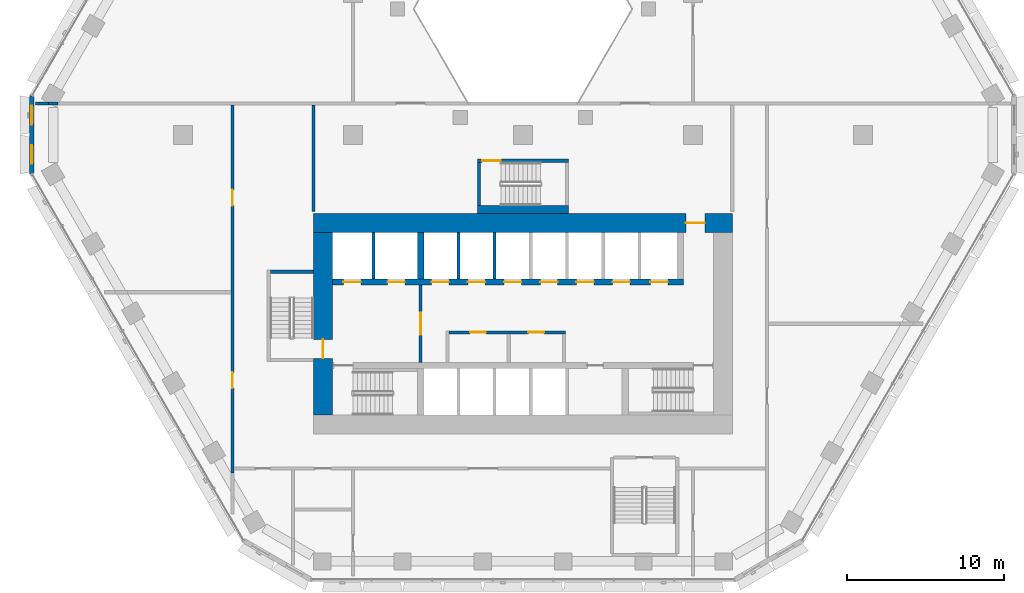
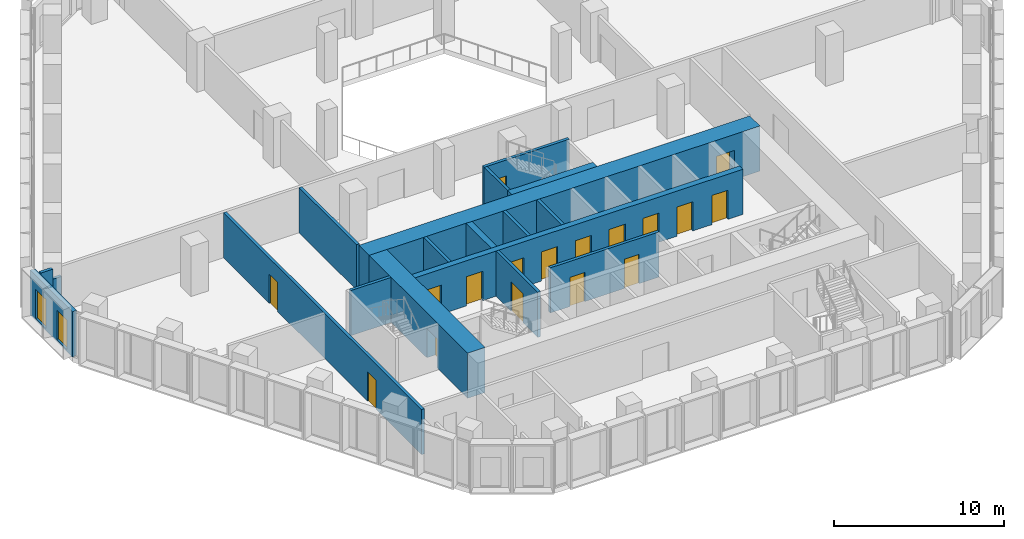
# One storey, part 12 of 25: 18 walls, 17 doors, 2 windows, 19 openings.
"""IFC4 building model written with IfcOpenShell, lengths in metres."""

from ifc_helpers import new_model, si_unit, direction, frame, frame_2d, origin, place, context, subcontext, project, spatial, polyline, rectangle, outline, extrude, material, layer, layer_set, type_object, element, fill, save


model = new_model("IFC4")

# Units and contexts
model_context = context("Model", 3, precision=1e-05, world=origin(), true_north=direction((0.0, 1.0)))
body_context = subcontext(model_context, "Body", "Model", "MODEL_VIEW")
ifc_project = project(units=[si_unit("LENGTHUNIT", "METRE"), si_unit("AREAUNIT", "SQUARE_METRE"), si_unit("VOLUMEUNIT", "CUBIC_METRE"), si_unit("PLANEANGLEUNIT", "RADIAN"), si_unit("MASSUNIT", "GRAM", prefix="KILO")], contexts=[model_context])

# Site, building, storey
site_placement = place(None, origin())
site = spatial("IfcSite", under=ifc_project, at=site_placement, CompositionType="ELEMENT")
building_placement = place(site_placement, origin())
building = spatial("IfcBuilding", under=site, at=building_placement, Name="Beryl Residences", CompositionType="ELEMENT")
storey_placement = place(building_placement, frame((0.0, 0.0, 16.199951171875)))
storey = spatial("IfcBuildingStorey", under=building, at=storey_placement, Name="L04", CompositionType="ELEMENT", Elevation=16.199951171875)

# Wall, openings, windows
ifc_material_1 = material(Name="Composite metal panel with mineral wool insulation")
ifc_layer_1 = layer(ifc_material_1, 0.300048828125)
ifc_layer_set_1 = layer_set([ifc_layer_1], Name="ES1 pale metal composite panel wall 300 mm")
wall_type_1 = type_object("IfcWallType", Name="ES1 pale metal composite panel wall 300 mm", PredefinedType="SOLIDWALL", material=ifc_layer_set_1)
wall_1_placement = place(storey_placement, frame((-31.199951171875, 2.5, 0.0), z_axis=(0.0, 0.0, 1.0), x_axis=(0.0, -1.0, 0.0)))
wall_1 = element("IfcWall", 1, at=wall_1_placement, inside=storey, type_object=wall_type_1, Name="ES1 external wall L04 NW-SW", PredefinedType="SOLIDWALL", context=body_context, shape_type="SweptSolid", body=[
    extrude(outline(polyline([(0.0, -0.14990234375), (5.0, -0.14990234375), (4.919677734375, 0.14990234375), (0.080322265625, 0.14990234375), (0.0, -0.14990234375)])), origin(), (0.0, 0.0, 1.0), 3.25),
])
opening_1_placement = place(wall_1_placement, frame((0.64990234375, 0.0, 0.14990234375)))
opening_1 = element("IfcOpeningElement", 2, at=opening_1_placement, cuts=wall_1, Name="Opening W2", PredefinedType="OPENING", context=body_context, shape_type="SweptSolid", body=[
    extrude(rectangle(XDim=1.199951171875, YDim=2.10009765625, at=frame_2d((0.60009765625, 1.050048828125))), frame((0.0, 0.159912109375, 0.0), z_axis=(0.0, -1.0, 0.0), x_axis=(1.0, 0.0, 0.0)), (0.0, 0.0, 1.0), 0.320068359375),
])
opening_2_placement = place(wall_1_placement, frame((3.14990234375, 0.0, 0.14990234375)))
opening_2 = element("IfcOpeningElement", 3, at=opening_2_placement, cuts=wall_1, Name="Opening W2", PredefinedType="OPENING", context=body_context, shape_type="SweptSolid", body=[
    extrude(rectangle(XDim=1.199951171875, YDim=2.10009765625, at=frame_2d((0.60009765625, 1.050048828125))), frame((0.0, 0.159912109375, 0.0), z_axis=(0.0, -1.0, 0.0), x_axis=(1.0, 0.0, 0.0)), (0.0, 0.0, 1.0), 0.320068359375),
])
ifc_material_2 = material(Name="Aluminium and clear glass", Category="aluminium")
window_type = type_object("IfcWindowType", Name="W2 chamfer window 1200 x 2100 mm", PartitioningType="SINGLE_PANEL", PredefinedType="WINDOW", material=ifc_material_2)
window_1_placement = place(opening_1_placement, origin())
window_1 = element("IfcWindow", 4, at=window_1_placement, inside=storey, type_object=window_type, Name="W2 window L04 NW-SW 1", OverallHeight=2.10009765625, OverallWidth=1.199951171875, PartitioningType="SINGLE_PANEL", PredefinedType="WINDOW", context=body_context, shape_type="SweptSolid", body=[
    extrude(rectangle(XDim=1.199951171875, YDim=2.10009765625, at=frame_2d((0.60009765625, 1.050048828125))), frame((0.0, 0.030029296875, 0.0), z_axis=(0.0, -1.0, 0.0), x_axis=(1.0, 0.0, 0.0)), (0.0, 0.0, 1.0), 0.06005859375),
])
fill(opening_1, window_1)
window_2_placement = place(opening_2_placement, origin())
window_2 = element("IfcWindow", 5, at=window_2_placement, inside=storey, type_object=window_type, Name="W2 window L04 NW-SW 2", OverallHeight=2.10009765625, OverallWidth=1.199951171875, PartitioningType="SINGLE_PANEL", PredefinedType="WINDOW", context=body_context, shape_type="SweptSolid", body=[
    extrude(rectangle(XDim=1.199951171875, YDim=2.10009765625, at=frame_2d((0.60009765625, 1.050048828125))), frame((0.0, 0.030029296875, 0.0), z_axis=(0.0, -1.0, 0.0), x_axis=(1.0, 0.0, 0.0)), (0.0, 0.0, 1.0), 0.06005859375),
])
fill(opening_2, window_2)

# Wall, opening, door
ifc_material_3 = material(Name="Concrete masonry", Category="masonry")
ifc_layer_2 = layer(ifc_material_3, 0.199951171875)
ifc_layer_set_2 = layer_set([ifc_layer_2], Name="PT13 lobby wall 200 mm")
wall_type_2 = type_object("IfcWallType", Name="PT13 lobby wall 200 mm", PredefinedType="PARTITIONING", material=ifc_layer_set_2)
wall_2_placement = place(storey_placement, frame((-6.5, -14.449951171875, 0.0), z_axis=(0.0, 0.0, 1.0), x_axis=(0.0, 1.0, 0.0)))
wall_2 = element("IfcWall", 6, at=wall_2_placement, inside=storey, type_object=wall_type_2, Name="Lobby wall 06", PredefinedType="PARTITIONING", context=body_context, shape_type="SweptSolid", body=[
    extrude(rectangle(XDim=4.89990234375, YDim=0.199951171875, at=frame_2d((2.449951171875, 0.0))), origin(), (0.0, 0.0, 1.0), 3.25),
])
opening_3_placement = place(wall_2_placement, frame((3.14990234375, 0.0, 0.0), z_axis=(0.0, 0.0, 1.0), x_axis=(-1.0, 0.0, 0.0)))
opening_3 = element("IfcOpeningElement", 7, at=opening_3_placement, cuts=wall_2, Name="Opening FD-FFL", PredefinedType="OPENING", context=body_context, shape_type="SweptSolid", body=[
    extrude(rectangle(XDim=1.39990234375, YDim=2.10009765625, at=frame_2d((0.699951171875, 1.050048828125))), frame((0.0, 0.10986328125, 0.0), z_axis=(0.0, -1.0, 0.0), x_axis=(1.0, 0.0, 0.0)), (0.0, 0.0, 1.0), 0.219970703125),
])
ifc_material_4 = material(Name="Steel door leaf in steel frame", Category="steel")
door_type_1 = type_object("IfcDoorType", Name="D5 lobby door 1400 x 2100 mm", OperationType="DOUBLE_DOOR_SINGLE_SWING", PredefinedType="DOOR", material=ifc_material_4)
door_1_placement = place(opening_3_placement, origin())
door_1 = element("IfcDoor", 8, at=door_1_placement, inside=storey, type_object=door_type_1, Name="Door FD-FFL L04 001", OperationType="DOUBLE_DOOR_SINGLE_SWING", OverallHeight=2.10009765625, OverallWidth=1.39990234375, PredefinedType="DOOR", context=body_context, shape_type="SweptSolid", body=[
    extrude(rectangle(XDim=1.39990234375, YDim=2.10009765625, at=frame_2d((0.699951171875, 1.050048828125))), frame((0.0, 0.02490234375, 0.0), z_axis=(0.0, -1.0, 0.0), x_axis=(1.0, 0.0, 0.0)), (0.0, 0.0, 1.0), 0.050048828125),
])
fill(opening_3, door_1)

# Wall, openings, doors
wall_3_placement = place(storey_placement, frame((-4.699951171875, -12.550048828125, 0.0), z_axis=(0.0, 0.0, 1.0), x_axis=(1.0, 0.0, 0.0)))
wall_3 = element("IfcWall", 9, at=wall_3_placement, inside=storey, type_object=wall_type_2, Name="Lobby wall 08", PredefinedType="PARTITIONING", context=body_context, shape_type="SweptSolid", body=[
    extrude(rectangle(XDim=7.39990234375, YDim=0.199951171875, at=frame_2d((3.699951171875, 0.0))), origin(), (0.0, 0.0, 1.0), 3.25),
])
opening_4_placement = place(wall_3_placement, frame((2.35009765625, 0.0, 0.0), z_axis=(0.0, 0.0, 1.0), x_axis=(-1.0, 0.0, 0.0)))
opening_4 = element("IfcOpeningElement", 10, at=opening_4_placement, cuts=wall_3, Name="Opening CD-D-A1", PredefinedType="OPENING", context=body_context, shape_type="SweptSolid", body=[
    extrude(rectangle(XDim=1.0, YDim=2.10009765625, at=frame_2d((0.5, 1.050048828125))), frame((0.0, 0.10986328125, 0.0), z_axis=(0.0, -1.0, 0.0), x_axis=(1.0, 0.0, 0.0)), (0.0, 0.0, 1.0), 0.219970703125),
])
opening_5_placement = place(wall_3_placement, frame((6.050048828125, 0.0, 0.0), z_axis=(0.0, 0.0, 1.0), x_axis=(-1.0, 0.0, 0.0)))
opening_5 = element("IfcOpeningElement", 11, at=opening_5_placement, cuts=wall_3, Name="Opening CD-D-A2", PredefinedType="OPENING", context=body_context, shape_type="SweptSolid", body=[
    extrude(rectangle(XDim=1.0, YDim=2.10009765625, at=frame_2d((0.5, 1.050048828125))), frame((0.0, 0.10986328125, 0.0), z_axis=(0.0, -1.0, 0.0), x_axis=(1.0, 0.0, 0.0)), (0.0, 0.0, 1.0), 0.219970703125),
])
ifc_material_5 = material(Name="Steel door leaf in steel frame", Category="steel")
door_type_2 = type_object("IfcDoorType", Name="D18 service room door 1000 x 2100 mm", OperationType="SINGLE_SWING_LEFT", PredefinedType="DOOR", material=ifc_material_5)
door_2_placement = place(opening_4_placement, origin())
door_2 = element("IfcDoor", 12, at=door_2_placement, inside=storey, type_object=door_type_2, Name="Door CD-D-A1 L04 001", OperationType="SINGLE_SWING_RIGHT", OverallHeight=2.10009765625, OverallWidth=1.0, PredefinedType="DOOR", context=body_context, shape_type="SweptSolid", body=[
    extrude(rectangle(XDim=1.0, YDim=2.10009765625, at=frame_2d((0.5, 1.050048828125))), frame((0.0, 0.02490234375, 0.0), z_axis=(0.0, -1.0, 0.0), x_axis=(1.0, 0.0, 0.0)), (0.0, 0.0, 1.0), 0.050048828125),
])
fill(opening_4, door_2)
door_3_placement = place(opening_5_placement, origin())
door_3 = element("IfcDoor", 13, at=door_3_placement, inside=storey, type_object=door_type_2, Name="Door CD-D-A2 L04 001", OperationType="SINGLE_SWING_LEFT", OverallHeight=2.10009765625, OverallWidth=1.0, PredefinedType="DOOR", context=body_context, shape_type="SweptSolid", body=[
    extrude(rectangle(XDim=1.0, YDim=2.10009765625, at=frame_2d((0.5, 1.050048828125))), frame((0.0, 0.02490234375, 0.0), z_axis=(0.0, -1.0, 0.0), x_axis=(1.0, 0.0, 0.0)), (0.0, 0.0, 1.0), 0.050048828125),
])
fill(opening_5, door_3)

# Walls
ifc_material_6 = material(Name="Double stud gypsum board wall")
ifc_layer_3 = layer(ifc_material_6, 0.199951171875)
ifc_layer_set_3 = layer_set([ifc_layer_3], Name="PT4 corridor wall 200 mm double stud")
wall_type_3 = type_object("IfcWallType", Name="PT4 corridor wall 200 mm double stud", PredefinedType="PARTITIONING", material=ifc_layer_set_3)
wall_4_placement = place(storey_placement, frame((-30.969970703125, 2.0, 0.0), z_axis=(0.0, 0.0, 1.0), x_axis=(1.0, 0.0, 0.0)))
element("IfcWall", 14, at=wall_4_placement, inside=storey, type_object=wall_type_3, Name="Wall PT4 L04 008", PredefinedType="PARTITIONING", context=body_context, shape_type="SweptSolid", body=[
    extrude(rectangle(XDim=0.821044921875, YDim=0.199951171875, at=frame_2d((0.41064453125, 0.0))), origin(), (0.0, 0.0, 1.0), 3.25),
])
wall_5_placement = place(storey_placement, frame((-30.14892578125, 2.0, 0.0), z_axis=(0.0, 0.0, 1.0), x_axis=(1.0, 0.0, 0.0)))
element("IfcWall", 15, at=wall_5_placement, inside=storey, type_object=wall_type_3, Name="Wall PT4 L04 009", PredefinedType="PARTITIONING", context=body_context, shape_type="SweptSolid", body=[
    extrude(rectangle(XDim=0.599853515625, YDim=0.199951171875, at=frame_2d((0.2998046875, 0.0))), origin(), (0.0, 0.0, 1.0), 2.52001953125),
])

# Wall, openings, doors
wall_6_placement = place(storey_placement, frame((-18.449951171875, -21.470947265625, 0.0), z_axis=(0.0, 0.0, 1.0), x_axis=(0.0, 1.0, 0.0)))
wall_6 = element("IfcWall", 16, at=wall_6_placement, inside=storey, type_object=wall_type_3, Name="Wall PT4 L04 019", PredefinedType="PARTITIONING", context=body_context, shape_type="SweptSolid", body=[
    extrude(rectangle(XDim=23.370849609375, YDim=0.199951171875, at=frame_2d((11.685546875, 0.0))), origin(), (0.0, 0.0, 1.0), 3.25),
])
opening_6_placement = place(wall_6_placement, frame((5.373046875, 0.0, 0.0)))
opening_6 = element("IfcOpeningElement", 17, at=opening_6_placement, cuts=wall_6, Name="Opening L04-05", PredefinedType="OPENING", context=body_context, shape_type="SweptSolid", body=[
    extrude(rectangle(XDim=1.0, YDim=2.10009765625, at=frame_2d((0.5, 1.050048828125))), frame((0.0, 0.10986328125, 0.0), z_axis=(0.0, -1.0, 0.0), x_axis=(1.0, 0.0, 0.0)), (0.0, 0.0, 1.0), 0.219970703125),
])
opening_7_placement = place(wall_6_placement, frame((16.968994140625, 0.0, 0.0)))
opening_7 = element("IfcOpeningElement", 18, at=opening_7_placement, cuts=wall_6, Name="Opening L04-06", PredefinedType="OPENING", context=body_context, shape_type="SweptSolid", body=[
    extrude(rectangle(XDim=1.0, YDim=2.10009765625, at=frame_2d((0.5, 1.050048828125))), frame((0.0, 0.10986328125, 0.0), z_axis=(0.0, -1.0, 0.0), x_axis=(1.0, 0.0, 0.0)), (0.0, 0.0, 1.0), 0.219970703125),
])
ifc_material_7 = material(Name="Timber door leaf", Category="wood")
door_type_3 = type_object("IfcDoorType", Name="D9 corridor door 1000 x 2100 mm", OperationType="SINGLE_SWING_LEFT", PredefinedType="DOOR", material=ifc_material_7)
door_4_placement = place(opening_6_placement, origin())
door_4 = element("IfcDoor", 19, at=door_4_placement, inside=storey, type_object=door_type_3, Name="Door L04-05 L04 001", OperationType="SINGLE_SWING_LEFT", OverallHeight=2.10009765625, OverallWidth=1.0, PredefinedType="DOOR", context=body_context, shape_type="SweptSolid", body=[
    extrude(rectangle(XDim=1.0, YDim=2.10009765625, at=frame_2d((0.5, 1.050048828125))), frame((0.0, 0.02490234375, 0.0), z_axis=(0.0, -1.0, 0.0), x_axis=(1.0, 0.0, 0.0)), (0.0, 0.0, 1.0), 0.050048828125),
])
fill(opening_6, door_4)
door_5_placement = place(opening_7_placement, origin())
door_5 = element("IfcDoor", 20, at=door_5_placement, inside=storey, type_object=door_type_3, Name="Door L04-06 L04 001", OperationType="SINGLE_SWING_RIGHT", OverallHeight=2.10009765625, OverallWidth=1.0, PredefinedType="DOOR", context=body_context, shape_type="SweptSolid", body=[
    extrude(rectangle(XDim=1.0, YDim=2.10009765625, at=frame_2d((0.5, 1.050048828125))), frame((0.0, 0.02490234375, 0.0), z_axis=(0.0, -1.0, 0.0), x_axis=(1.0, 0.0, 0.0)), (0.0, 0.0, 1.0), 0.050048828125),
])
fill(opening_7, door_5)

# Wall
wall_7_placement = place(storey_placement, frame((-13.300048828125, -4.8798828125, 0.0), z_axis=(0.0, 0.0, 1.0), x_axis=(0.0, 1.0, 0.0)))
element("IfcWall", 21, at=wall_7_placement, inside=storey, type_object=wall_type_3, Name="Wall PT4 L04 020", PredefinedType="PARTITIONING", context=body_context, shape_type="SweptSolid", body=[
    extrude(rectangle(XDim=6.77978515625, YDim=0.199951171875, at=frame_2d((3.389892578125, 0.0))), origin(), (0.0, 0.0, 1.0), 3.25),
])

# Wall, opening, door
ifc_material_8 = material(Name="Concrete C40/50", Category="concrete")
ifc_layer_4 = layer(ifc_material_8, 0.199951171875)
ifc_layer_set_4 = layer_set([ifc_layer_4], Name="PT5 stair enclosure wall 200 mm reinforced concrete C40/50")
wall_type_4 = type_object("IfcWallType", Name="PT5 stair enclosure wall 200 mm reinforced concrete C40/50", PredefinedType="SOLIDWALL", material=ifc_layer_set_4)
wall_8_placement = place(storey_placement, frame((-2.89990234375, -1.64990234375, 0.0), z_axis=(0.0, 0.0, 1.0), x_axis=(1.0, 0.0, 0.0)))
wall_8 = element("IfcWall", 22, at=wall_8_placement, inside=storey, type_object=wall_type_4, Name="Wall PT5 L04 001", PredefinedType="SOLIDWALL", context=body_context, shape_type="SweptSolid", body=[
    extrude(rectangle(XDim=5.7998046875, YDim=0.199951171875, at=frame_2d((2.89990234375, 0.0))), origin(), (0.0, 0.0, 1.0), 3.25),
])
opening_8_placement = place(wall_8_placement, frame((0.300048828125, 0.0, 0.0)))
opening_8 = element("IfcOpeningElement", 23, at=opening_8_placement, cuts=wall_8, Name="Opening DS04", PredefinedType="OPENING", context=body_context, shape_type="SweptSolid", body=[
    extrude(rectangle(XDim=1.199951171875, YDim=2.10009765625, at=frame_2d((0.60009765625, 1.050048828125))), frame((0.0, 0.10986328125, 0.0), z_axis=(0.0, -1.0, 0.0), x_axis=(1.0, 0.0, 0.0)), (0.0, 0.0, 1.0), 0.219970703125),
])
ifc_material_9 = material(Name="Steel door leaf in steel frame", Category="steel")
door_type_4 = type_object("IfcDoorType", Name="D4 stair door 1200 x 2100 mm", OperationType="SINGLE_SWING_LEFT", PredefinedType="DOOR", material=ifc_material_9)
door_6_placement = place(opening_8_placement, origin())
door_6 = element("IfcDoor", 24, at=door_6_placement, inside=storey, type_object=door_type_4, Name="Door DS04 L04 001", OperationType="SINGLE_SWING_LEFT", OverallHeight=2.10009765625, OverallWidth=1.199951171875, PredefinedType="DOOR", context=body_context, shape_type="SweptSolid", body=[
    extrude(rectangle(XDim=1.199951171875, YDim=2.10009765625, at=frame_2d((0.60009765625, 1.050048828125))), frame((0.0, 0.02490234375, 0.0), z_axis=(0.0, -1.0, 0.0), x_axis=(1.0, 0.0, 0.0)), (0.0, 0.0, 1.0), 0.050048828125),
])
fill(opening_8, door_6)

# Walls
for number, where, z_axis, x_axis, name in (
    (25, (-2.800048828125, -4.5, 0.0), (0.0, 0.0, 1.0), (0.0, 1.0, 0.0), "Wall PT5 L04 002"),
    (26, (-16.050048828125, -8.699951171875, 0.0), (0.0, 0.0, 1.0), (1.0, 0.0, 0.0), "Stair wall 03"),
):
    element("IfcWall", number, at=place(storey_placement, frame(where, z_axis=z_axis, x_axis=x_axis)), inside=storey, type_object=wall_type_4, Name=name, PredefinedType="SOLIDWALL", context=body_context, shape_type="SweptSolid", body=[
        extrude(rectangle(XDim=2.75, YDim=0.199951171875, at=frame_2d((1.375, 0.0))), origin(), (0.0, 0.0, 1.0), 3.25),
    ])
ifc_material_10 = material(Name="Concrete C40/50", Category="concrete")
ifc_layer_5 = layer(ifc_material_10, 0.5)
ifc_layer_set_5 = layer_set([ifc_layer_5], Name="PT5-500 stair enclosure wall 500 mm")
wall_type_5 = type_object("IfcWallType", Name="PT5-500 stair enclosure wall 500 mm", PredefinedType="SOLIDWALL", material=ifc_layer_set_5)
wall_9_placement = place(storey_placement, frame((-2.89990234375, -4.75, 0.0), z_axis=(0.0, 0.0, 1.0), x_axis=(1.0, 0.0, 0.0)))
element("IfcWall", 27, at=wall_9_placement, inside=storey, type_object=wall_type_5, Name="Wall PT5-500 L04 001", PredefinedType="SOLIDWALL", context=body_context, shape_type="SweptSolid", body=[
    extrude(rectangle(XDim=5.7998046875, YDim=0.5, at=frame_2d((2.89990234375, 0.0))), origin(), (0.0, 0.0, 1.0), 3.25),
])
ifc_material_11 = material(Name="Concrete C40/50", Category="concrete")
ifc_layer_6 = layer(ifc_material_11, 0.199951171875)
ifc_layer_set_6 = layer_set([ifc_layer_6], Name="PT6 lift shaft wall 200 mm reinforced concrete C40/50")
wall_type_6 = type_object("IfcWallType", Name="PT6 lift shaft wall 200 mm reinforced concrete C40/50", PredefinedType="SOLIDWALL", material=ifc_layer_set_6)
for number, where, z_axis, x_axis, name in (
    (28, (-9.5, -9.14990234375, 0.0), (0.0, 0.0, 1.0), (0.0, 1.0, 0.0), "Lift shaft wall 05"),
    (29, (-4.10009765625, -9.14990234375, 0.0), (0.0, 0.0, 1.0), (0.0, 1.0, 0.0), "Lift shaft wall 10"),
    (30, (-1.800048828125, -9.14990234375, 0.0), (0.0, 0.0, 1.0), (0.0, 1.0, 0.0), "Lift shaft wall 12"),
):
    element("IfcWall", number, at=place(storey_placement, frame(where, z_axis=z_axis, x_axis=x_axis)), inside=storey, type_object=wall_type_6, Name=name, PredefinedType="SOLIDWALL", context=body_context, shape_type="SweptSolid", body=[
        extrude(rectangle(XDim=2.949951171875, YDim=0.199951171875, at=frame_2d((1.47509765625, 0.0))), origin(), (0.0, 0.0, 1.0), 3.25),
    ])

# Wall, opening, door
ifc_material_12 = material(Name="Concrete C80/95", Category="concrete")
ifc_layer_7 = layer(ifc_material_12, 1.199951171875)
ifc_layer_set_7 = layer_set([ifc_layer_7], Name="SW1 core outer wall 1200 mm C80/95")
wall_type_7 = type_object("IfcWallType", Name="SW1 core outer wall 1200 mm C80/95", PredefinedType="SHEAR", material=ifc_layer_set_7)
wall_10_placement = place(storey_placement, frame((-13.300048828125, -5.60009765625, 0.0), z_axis=(0.0, 0.0, 1.0), x_axis=(1.0, 0.0, 0.0)))
wall_10 = element("IfcWall", 31, at=wall_10_placement, inside=storey, type_object=wall_type_7, Name="Core wall N L04", PredefinedType="SHEAR", context=body_context, shape_type="SweptSolid", body=[
    extrude(rectangle(XDim=26.60009765625, YDim=1.199951171875, at=frame_2d((13.300048828125, 0.0))), origin(), (0.0, 0.0, 1.0), 3.25),
])
opening_9_placement = place(wall_10_placement, frame((23.64990234375, 0.0, 0.0)))
opening_9 = element("IfcOpeningElement", 32, at=opening_9_placement, cuts=wall_10, Name="Opening FD-NORTH", PredefinedType="OPENING", context=body_context, shape_type="SweptSolid", body=[
    extrude(rectangle(XDim=1.199951171875, YDim=2.10009765625, at=frame_2d((0.60009765625, 1.050048828125))), frame((0.0, 0.60986328125, 0.0), z_axis=(0.0, -1.0, 0.0), x_axis=(1.0, 0.0, 0.0)), (0.0, 0.0, 1.0), 1.219970703125),
])
ifc_material_13 = material(Name="Steel door leaf in steel frame", Category="steel")
door_type_5 = type_object("IfcDoorType", Name="D22 lobby door 1200 x 2100 mm", OperationType="DOUBLE_DOOR_SINGLE_SWING", PredefinedType="DOOR", material=ifc_material_13)
door_7_placement = place(opening_9_placement, origin())
door_7 = element("IfcDoor", 33, at=door_7_placement, inside=storey, type_object=door_type_5, Name="Door FD-NORTH L04 001", OperationType="DOUBLE_DOOR_SINGLE_SWING", OverallHeight=2.10009765625, OverallWidth=1.199951171875, PredefinedType="DOOR", context=body_context, shape_type="SweptSolid", body=[
    extrude(rectangle(XDim=1.199951171875, YDim=2.10009765625, at=frame_2d((0.60009765625, 1.050048828125))), frame((0.0, 0.02490234375, 0.0), z_axis=(0.0, -1.0, 0.0), x_axis=(1.0, 0.0, 0.0)), (0.0, 0.0, 1.0), 0.050048828125),
])
fill(opening_9, door_7)

wall_11_placement = place(storey_placement, frame((-12.699951171875, -17.800048828125, 0.0), z_axis=(0.0, 0.0, 1.0), x_axis=(0.0, 1.0, 0.0)))
wall_11 = element("IfcWall", 34, at=wall_11_placement, inside=storey, type_object=wall_type_7, Name="Core wall W L04", PredefinedType="SHEAR", context=body_context, shape_type="SweptSolid", body=[
    extrude(rectangle(XDim=11.60009765625, YDim=1.199951171875, at=frame_2d((5.800048828125, 0.0))), origin(), (0.0, 0.0, 1.0), 3.25),
])
opening_10_placement = place(wall_11_placement, frame((3.60009765625, 0.0, 0.0)))
opening_10 = element("IfcOpeningElement", 35, at=opening_10_placement, cuts=wall_11, Name="Opening SD-2", PredefinedType="OPENING", context=body_context, shape_type="SweptSolid", body=[
    extrude(rectangle(XDim=1.199951171875, YDim=2.10009765625, at=frame_2d((0.60009765625, 1.050048828125))), frame((0.0, 0.60986328125, 0.0), z_axis=(0.0, -1.0, 0.0), x_axis=(1.0, 0.0, 0.0)), (0.0, 0.0, 1.0), 1.219970703125),
])
door_8_placement = place(opening_10_placement, origin())
door_8 = element("IfcDoor", 36, at=door_8_placement, inside=storey, type_object=door_type_4, Name="Door SD-2 L04 001", OperationType="SINGLE_SWING_RIGHT", OverallHeight=2.10009765625, OverallWidth=1.199951171875, PredefinedType="DOOR", context=body_context, shape_type="SweptSolid", body=[
    extrude(rectangle(XDim=1.199951171875, YDim=2.10009765625, at=frame_2d((0.60009765625, 1.050048828125))), frame((0.0, 0.02490234375, 0.0), z_axis=(0.0, -1.0, 0.0), x_axis=(1.0, 0.0, 0.0)), (0.0, 0.0, 1.0), 0.050048828125),
])
fill(opening_10, door_8)

# Wall, openings, doors
ifc_material_14 = material(Name="Concrete C80/95", Category="concrete")
ifc_layer_8 = layer(ifc_material_14, 0.39990234375)
ifc_layer_set_8 = layer_set([ifc_layer_8], Name="SW6 core internal wall 400 mm C80/95")
wall_type_8 = type_object("IfcWallType", Name="SW6 core internal wall 400 mm C80/95", PredefinedType="SHEAR", material=ifc_layer_set_8)
wall_12_placement = place(storey_placement, frame((-12.10009765625, -9.35009765625, 0.0), z_axis=(0.0, 0.0, 1.0), x_axis=(1.0, 0.0, 0.0)))
wall_12 = element("IfcWall", 37, at=wall_12_placement, inside=storey, type_object=wall_type_8, Name="Core wall SP2 L04", PredefinedType="SHEAR", context=body_context, shape_type="SweptSolid", body=[
    extrude(rectangle(XDim=22.300048828125, YDim=0.39990234375, at=frame_2d((11.14990234375, 0.0))), origin(), (0.0, 0.0, 1.0), 3.25),
])
opening_11_placement = place(wall_12_placement, frame((0.699951171875, 0.0, 0.0)))
opening_11 = element("IfcOpeningElement", 38, at=opening_11_placement, cuts=wall_12, Name="Opening LD-FF1", PredefinedType="OPENING", context=body_context, shape_type="SweptSolid", body=[
    extrude(rectangle(XDim=1.10009765625, YDim=2.10009765625, at=frame_2d((0.550048828125, 1.050048828125))), frame((0.0, 0.2099609375, 0.0), z_axis=(0.0, -1.0, 0.0), x_axis=(1.0, 0.0, 0.0)), (0.0, 0.0, 1.0), 0.419921875),
])
opening_12_placement = place(wall_12_placement, frame((3.5, 0.0, 0.0)))
opening_12 = element("IfcOpeningElement", 39, at=opening_12_placement, cuts=wall_12, Name="Opening LD-FF2", PredefinedType="OPENING", context=body_context, shape_type="SweptSolid", body=[
    extrude(rectangle(XDim=1.10009765625, YDim=2.10009765625, at=frame_2d((0.550048828125, 1.050048828125))), frame((0.0, 0.2099609375, 0.0), z_axis=(0.0, -1.0, 0.0), x_axis=(1.0, 0.0, 0.0)), (0.0, 0.0, 1.0), 0.419921875),
])
opening_13_placement = place(wall_12_placement, frame((6.300048828125, 0.0, 0.0)))
opening_13 = element("IfcOpeningElement", 40, at=opening_13_placement, cuts=wall_12, Name="Opening LD-LR1", PredefinedType="OPENING", context=body_context, shape_type="SweptSolid", body=[
    extrude(rectangle(XDim=1.10009765625, YDim=2.10009765625, at=frame_2d((0.550048828125, 1.050048828125))), frame((0.0, 0.2099609375, 0.0), z_axis=(0.0, -1.0, 0.0), x_axis=(1.0, 0.0, 0.0)), (0.0, 0.0, 1.0), 0.419921875),
])
opening_14_placement = place(wall_12_placement, frame((8.60009765625, 0.0, 0.0)))
opening_14 = element("IfcOpeningElement", 41, at=opening_14_placement, cuts=wall_12, Name="Opening LD-LR2", PredefinedType="OPENING", context=body_context, shape_type="SweptSolid", body=[
    extrude(rectangle(XDim=1.10009765625, YDim=2.10009765625, at=frame_2d((0.550048828125, 1.050048828125))), frame((0.0, 0.2099609375, 0.0), z_axis=(0.0, -1.0, 0.0), x_axis=(1.0, 0.0, 0.0)), (0.0, 0.0, 1.0), 0.419921875),
])
opening_15_placement = place(wall_12_placement, frame((10.89990234375, 0.0, 0.0)))
opening_15 = element("IfcOpeningElement", 42, at=opening_15_placement, cuts=wall_12, Name="Opening LD-LR3", PredefinedType="OPENING", context=body_context, shape_type="SweptSolid", body=[
    extrude(rectangle(XDim=1.10009765625, YDim=2.10009765625, at=frame_2d((0.550048828125, 1.050048828125))), frame((0.0, 0.2099609375, 0.0), z_axis=(0.0, -1.0, 0.0), x_axis=(1.0, 0.0, 0.0)), (0.0, 0.0, 1.0), 0.419921875),
])
opening_16_placement = place(wall_12_placement, frame((13.199951171875, 0.0, 0.0)))
opening_16 = element("IfcOpeningElement", 43, at=opening_16_placement, cuts=wall_12, Name="Opening LD-LR4", PredefinedType="OPENING", context=body_context, shape_type="SweptSolid", body=[
    extrude(rectangle(XDim=1.10009765625, YDim=2.10009765625, at=frame_2d((0.550048828125, 1.050048828125))), frame((0.0, 0.2099609375, 0.0), z_axis=(0.0, -1.0, 0.0), x_axis=(1.0, 0.0, 0.0)), (0.0, 0.0, 1.0), 0.419921875),
])
opening_17_placement = place(wall_12_placement, frame((15.5, 0.0, 0.0)))
opening_17 = element("IfcOpeningElement", 44, at=opening_17_placement, cuts=wall_12, Name="Opening LD-LR5", PredefinedType="OPENING", context=body_context, shape_type="SweptSolid", body=[
    extrude(rectangle(XDim=1.10009765625, YDim=2.10009765625, at=frame_2d((0.550048828125, 1.050048828125))), frame((0.0, 0.2099609375, 0.0), z_axis=(0.0, -1.0, 0.0), x_axis=(1.0, 0.0, 0.0)), (0.0, 0.0, 1.0), 0.419921875),
])
opening_18_placement = place(wall_12_placement, frame((17.800048828125, 0.0, 0.0)))
opening_18 = element("IfcOpeningElement", 45, at=opening_18_placement, cuts=wall_12, Name="Opening LD-LR6", PredefinedType="OPENING", context=body_context, shape_type="SweptSolid", body=[
    extrude(rectangle(XDim=1.10009765625, YDim=2.10009765625, at=frame_2d((0.550048828125, 1.050048828125))), frame((0.0, 0.2099609375, 0.0), z_axis=(0.0, -1.0, 0.0), x_axis=(1.0, 0.0, 0.0)), (0.0, 0.0, 1.0), 0.419921875),
])
opening_19_placement = place(wall_12_placement, frame((20.199951171875, 0.0, 0.0)))
opening_19 = element("IfcOpeningElement", 46, at=opening_19_placement, cuts=wall_12, Name="Opening LD-SL1", PredefinedType="OPENING", context=body_context, shape_type="SweptSolid", body=[
    extrude(rectangle(XDim=1.10009765625, YDim=2.10009765625, at=frame_2d((0.550048828125, 1.050048828125))), frame((0.0, 0.2099609375, 0.0), z_axis=(0.0, -1.0, 0.0), x_axis=(1.0, 0.0, 0.0)), (0.0, 0.0, 1.0), 0.419921875),
])
ifc_material_15 = material(Name="Stainless steel sliding door", Category="steel")
door_type_6 = type_object("IfcDoorType", Name="LD1 lift landing door 1100 x 2100 mm", OperationType="DOUBLE_DOOR_SLIDING", PredefinedType="DOOR", material=ifc_material_15)
door_9_placement = place(opening_11_placement, origin())
door_9 = element("IfcDoor", 47, at=door_9_placement, inside=storey, type_object=door_type_6, Name="Lift landing door FF1", OperationType="DOUBLE_DOOR_SLIDING", OverallHeight=2.10009765625, OverallWidth=1.10009765625, PredefinedType="DOOR", context=body_context, shape_type="SweptSolid", body=[
    extrude(rectangle(XDim=1.10009765625, YDim=2.10009765625, at=frame_2d((0.550048828125, 1.050048828125))), frame((0.0, 0.02490234375, 0.0), z_axis=(0.0, -1.0, 0.0), x_axis=(1.0, 0.0, 0.0)), (0.0, 0.0, 1.0), 0.050048828125),
])
fill(opening_11, door_9)
door_10_placement = place(opening_12_placement, origin())
door_10 = element("IfcDoor", 48, at=door_10_placement, inside=storey, type_object=door_type_6, Name="Lift landing door FF2", OperationType="DOUBLE_DOOR_SLIDING", OverallHeight=2.10009765625, OverallWidth=1.10009765625, PredefinedType="DOOR", context=body_context, shape_type="SweptSolid", body=[
    extrude(rectangle(XDim=1.10009765625, YDim=2.10009765625, at=frame_2d((0.550048828125, 1.050048828125))), frame((0.0, 0.02490234375, 0.0), z_axis=(0.0, -1.0, 0.0), x_axis=(1.0, 0.0, 0.0)), (0.0, 0.0, 1.0), 0.050048828125),
])
fill(opening_12, door_10)
door_11_placement = place(opening_13_placement, origin())
door_11 = element("IfcDoor", 49, at=door_11_placement, inside=storey, type_object=door_type_6, Name="Lift landing door LR1", OperationType="DOUBLE_DOOR_SLIDING", OverallHeight=2.10009765625, OverallWidth=1.10009765625, PredefinedType="DOOR", context=body_context, shape_type="SweptSolid", body=[
    extrude(rectangle(XDim=1.10009765625, YDim=2.10009765625, at=frame_2d((0.550048828125, 1.050048828125))), frame((0.0, 0.02490234375, 0.0), z_axis=(0.0, -1.0, 0.0), x_axis=(1.0, 0.0, 0.0)), (0.0, 0.0, 1.0), 0.050048828125),
])
fill(opening_13, door_11)
door_12_placement = place(opening_14_placement, origin())
door_12 = element("IfcDoor", 50, at=door_12_placement, inside=storey, type_object=door_type_6, Name="Lift landing door LR2", OperationType="DOUBLE_DOOR_SLIDING", OverallHeight=2.10009765625, OverallWidth=1.10009765625, PredefinedType="DOOR", context=body_context, shape_type="SweptSolid", body=[
    extrude(rectangle(XDim=1.10009765625, YDim=2.10009765625, at=frame_2d((0.550048828125, 1.050048828125))), frame((0.0, 0.02490234375, 0.0), z_axis=(0.0, -1.0, 0.0), x_axis=(1.0, 0.0, 0.0)), (0.0, 0.0, 1.0), 0.050048828125),
])
fill(opening_14, door_12)
door_13_placement = place(opening_15_placement, origin())
door_13 = element("IfcDoor", 51, at=door_13_placement, inside=storey, type_object=door_type_6, Name="Lift landing door LR3", OperationType="DOUBLE_DOOR_SLIDING", OverallHeight=2.10009765625, OverallWidth=1.10009765625, PredefinedType="DOOR", context=body_context, shape_type="SweptSolid", body=[
    extrude(rectangle(XDim=1.10009765625, YDim=2.10009765625, at=frame_2d((0.550048828125, 1.050048828125))), frame((0.0, 0.02490234375, 0.0), z_axis=(0.0, -1.0, 0.0), x_axis=(1.0, 0.0, 0.0)), (0.0, 0.0, 1.0), 0.050048828125),
])
fill(opening_15, door_13)
door_14_placement = place(opening_16_placement, origin())
door_14 = element("IfcDoor", 52, at=door_14_placement, inside=storey, type_object=door_type_6, Name="Lift landing door LR4", OperationType="DOUBLE_DOOR_SLIDING", OverallHeight=2.10009765625, OverallWidth=1.10009765625, PredefinedType="DOOR", context=body_context, shape_type="SweptSolid", body=[
    extrude(rectangle(XDim=1.10009765625, YDim=2.10009765625, at=frame_2d((0.550048828125, 1.050048828125))), frame((0.0, 0.02490234375, 0.0), z_axis=(0.0, -1.0, 0.0), x_axis=(1.0, 0.0, 0.0)), (0.0, 0.0, 1.0), 0.050048828125),
])
fill(opening_16, door_14)
door_15_placement = place(opening_17_placement, origin())
door_15 = element("IfcDoor", 53, at=door_15_placement, inside=storey, type_object=door_type_6, Name="Lift landing door LR5", OperationType="DOUBLE_DOOR_SLIDING", OverallHeight=2.10009765625, OverallWidth=1.10009765625, PredefinedType="DOOR", context=body_context, shape_type="SweptSolid", body=[
    extrude(rectangle(XDim=1.10009765625, YDim=2.10009765625, at=frame_2d((0.550048828125, 1.050048828125))), frame((0.0, 0.02490234375, 0.0), z_axis=(0.0, -1.0, 0.0), x_axis=(1.0, 0.0, 0.0)), (0.0, 0.0, 1.0), 0.050048828125),
])
fill(opening_17, door_15)
door_16_placement = place(opening_18_placement, origin())
door_16 = element("IfcDoor", 54, at=door_16_placement, inside=storey, type_object=door_type_6, Name="Lift landing door LR6", OperationType="DOUBLE_DOOR_SLIDING", OverallHeight=2.10009765625, OverallWidth=1.10009765625, PredefinedType="DOOR", context=body_context, shape_type="SweptSolid", body=[
    extrude(rectangle(XDim=1.10009765625, YDim=2.10009765625, at=frame_2d((0.550048828125, 1.050048828125))), frame((0.0, 0.02490234375, 0.0), z_axis=(0.0, -1.0, 0.0), x_axis=(1.0, 0.0, 0.0)), (0.0, 0.0, 1.0), 0.050048828125),
])
fill(opening_18, door_16)
door_17_placement = place(opening_19_placement, origin())
door_17 = element("IfcDoor", 55, at=door_17_placement, inside=storey, type_object=door_type_6, Name="Lift landing door SL1", OperationType="DOUBLE_DOOR_SLIDING", OverallHeight=2.10009765625, OverallWidth=1.10009765625, PredefinedType="DOOR", context=body_context, shape_type="SweptSolid", body=[
    extrude(rectangle(XDim=1.10009765625, YDim=2.10009765625, at=frame_2d((0.550048828125, 1.050048828125))), frame((0.0, 0.02490234375, 0.0), z_axis=(0.0, -1.0, 0.0), x_axis=(1.0, 0.0, 0.0)), (0.0, 0.0, 1.0), 0.050048828125),
])
fill(opening_19, door_17)

# Wall
wall_13_placement = place(storey_placement, frame((-6.5, -9.14990234375, 0.0), z_axis=(0.0, 0.0, 1.0), x_axis=(0.0, 1.0, 0.0)))
element("IfcWall", 56, at=wall_13_placement, inside=storey, type_object=wall_type_8, Name="Core wall XN1 L04", PredefinedType="SHEAR", context=body_context, shape_type="SweptSolid", body=[
    extrude(rectangle(XDim=2.949951171875, YDim=0.39990234375, at=frame_2d((1.47509765625, 0.0))), origin(), (0.0, 0.0, 1.0), 3.25),
])

save(model, "model.ifc")
